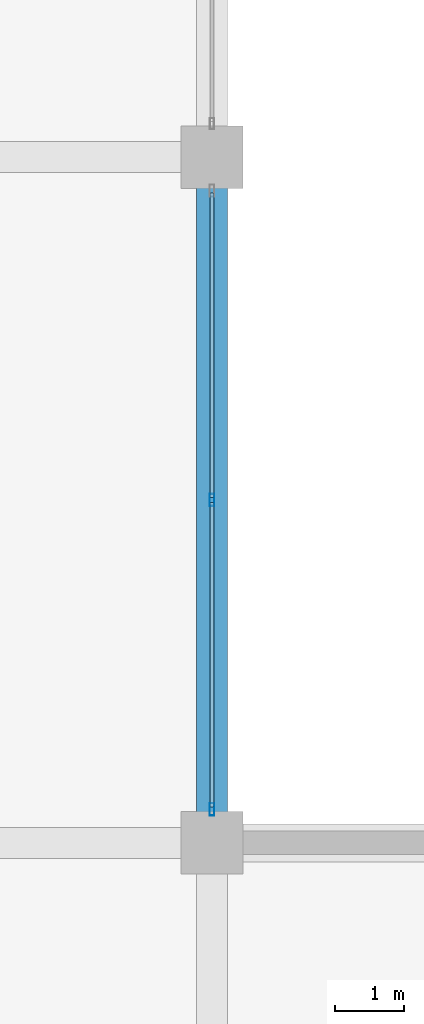
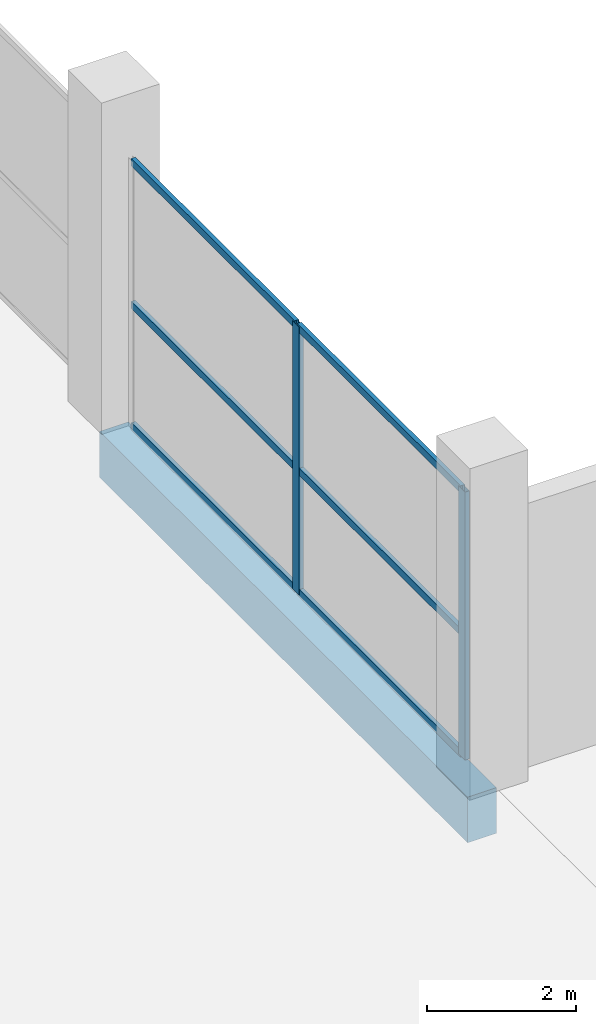
# One storey, part 8 of 50: 8 members, 1 beam, 1 element without a shape of its own.
"""IFC4 building model written with IfcOpenShell, lengths in metres."""

from ifc_helpers import new_model, si_unit, direction, frame, origin, origin_2d, place, context, subcontext, project, spatial, rectangle, hollow_rectangle, extrude, material, layer, layer_set, material_profile, profile_set, type_object, element, aggregate, save


model = new_model("IFC4")

# Units and contexts
model_context = context("Model", 3, precision=1e-05, world=origin(), true_north=direction((0.0, 1.0)))
body_context = subcontext(model_context, "Body", "Model", "MODEL_VIEW")
ifc_project = project(units=[si_unit("LENGTHUNIT", "METRE"), si_unit("AREAUNIT", "SQUARE_METRE"), si_unit("VOLUMEUNIT", "CUBIC_METRE"), si_unit("PLANEANGLEUNIT", "RADIAN"), si_unit("MASSUNIT", "GRAM", prefix="KILO")], contexts=[model_context])

# Site, building, storey
site_placement = place(None, origin())
site = spatial("IfcSite", under=ifc_project, at=site_placement, CompositionType="ELEMENT")
building_placement = place(site_placement, origin())
building = spatial("IfcBuilding", under=site, at=building_placement, Name="Sillaruma Civic Art Gallery", CompositionType="ELEMENT")
storey_placement = place(building_placement, origin())
storey = spatial("IfcBuildingStorey", under=building, at=storey_placement, Name="L00", CompositionType="ELEMENT", Elevation=0.0)

# Beam
ifc_material_1 = material(Name="Concrete H40 (40 MPa)", Category="concrete")
ifc_material_profile_1 = material_profile(ifc_material_1, rectangle(XDim=0.449951171875, YDim=0.75, at=origin_2d()), Name="RCB450x750")
ifc_profile_set_1 = profile_set([ifc_material_profile_1], Name="Concrete H40 (40 MPa)")
beam_type = type_object("IfcBeamType", Name="BM-BEAM-RCB450x750", PredefinedType="BEAM", material=ifc_profile_set_1)
beam_placement = place(storey_placement, frame((114.39990234375, 39.60009765625, -0.675048828125), z_axis=(0.0, 1.0, 0.0), x_axis=(-1.0, 0.0, 0.0)))
element("IfcBeam", 1, at=beam_placement, inside=storey, type_object=beam_type, Name="Beam BM-03 (B01:N:5-6)", PredefinedType="BEAM", context=body_context, shape_type="SweptSolid", body=[
    extrude(rectangle(XDim=0.449951171875, YDim=0.75, at=origin_2d()), origin(), (0.0, 0.0, 1.0), 9.89990234375),
])

# Curtain wall, members
ifc_material_2 = material(Name="Thermally Broken Extruded Aluminium 6063-T6", Category="aluminium")
ifc_layer = layer(ifc_material_2, 0.179931640625, Name="Thermally Broken Extruded Aluminium 6063-T6")
ifc_layer_set = layer_set([ifc_layer], Name="Thermally Broken Extruded Aluminium 6063-T6")
curtain_wall_type = type_object("IfcCurtainWallType", Name="CW-UNI-02", PredefinedType="NOTDEFINED", material=ifc_layer_set)
curtain_wall_placement = place(storey_placement, origin())
curtain_wall = element("IfcCurtainWall", 2, at=curtain_wall_placement, inside=storey, type_object=curtain_wall_type, Name="Unitised Curtain Wall CW-02 (CW-L00-SPE-3)", PredefinedType="NOTDEFINED")
ifc_material_profile_2 = material_profile(ifc_material_2, hollow_rectangle(XDim=0.070068359375, YDim=0.179931640625, WallThickness=0.00390625, at=origin_2d()), Name="CWM70x180")
ifc_profile_set_2 = profile_set([ifc_material_profile_2], Name="Thermally Broken Extruded Aluminium 6063-T6")
member_type_1 = type_object("IfcMemberType", Name="MEM-MUL-CWM70x180", PredefinedType="MULLION", material=ifc_profile_set_2)
member_1_placement = place(storey_placement, frame((114.39990234375, 40.0849609375, 0.0), z_axis=(0.0, 0.0, 1.0), x_axis=(-1.0, 0.0, 0.0)))
member_1 = element("IfcMember", 3, at=member_1_placement, type_object=member_type_1, Name="CW-02 mullion 1", PredefinedType="MULLION", context=body_context, shape_type="SweptSolid", body=[
    extrude(hollow_rectangle(XDim=0.070068359375, YDim=0.179931640625, WallThickness=0.00390625, at=origin_2d()), origin(), (0.0, 0.0, 1.0), 4.39990234375),
])
member_2_placement = place(storey_placement, frame((114.39990234375, 44.550048828125, 0.0), z_axis=(0.0, 0.0, 1.0), x_axis=(-1.0, 0.0, 0.0)))
member_2 = element("IfcMember", 4, at=member_2_placement, type_object=member_type_1, Name="CW-02 mullion 2", PredefinedType="MULLION", context=body_context, shape_type="SweptSolid", body=[
    extrude(hollow_rectangle(XDim=0.070068359375, YDim=0.179931640625, WallThickness=0.00390625, at=origin_2d()), origin(), (0.0, 0.0, 1.0), 4.39990234375),
])
ifc_material_profile_3 = material_profile(ifc_material_2, hollow_rectangle(XDim=0.06494140625, YDim=0.1201171875, WallThickness=0.00341796875, at=origin_2d()), Name="CWT65x120")
ifc_profile_set_3 = profile_set([ifc_material_profile_3], Name="Thermally Broken Extruded Aluminium 6063-T6")
member_type_2 = type_object("IfcMemberType", Name="MEM-TRN-CWT65x120", PredefinedType="USERDEFINED", material=ifc_profile_set_3)
member_3_placement = place(storey_placement, frame((114.39990234375, 40.1201171875, 0.032470703125), z_axis=(0.0, 1.0, 0.0), x_axis=(-1.0, 0.0, 0.0)))
member_3 = element("IfcMember", 5, at=member_3_placement, type_object=member_type_2, Name="CW-02 transom 1.1", ObjectType="TRANSOM", PredefinedType="USERDEFINED", context=body_context, shape_type="SweptSolid", body=[
    extrude(hollow_rectangle(XDim=0.06494140625, YDim=0.1201171875, WallThickness=0.00341796875, at=origin_2d()), origin(), (0.0, 0.0, 1.0), 4.394775390625),
])
member_4_placement = place(storey_placement, frame((114.39990234375, 40.1201171875, 2.02392578125), z_axis=(0.0, 1.0, 0.0), x_axis=(-1.0, 0.0, 0.0)))
member_4 = element("IfcMember", 6, at=member_4_placement, type_object=member_type_2, Name="CW-02 transom 1.2", ObjectType="TRANSOM", PredefinedType="USERDEFINED", context=body_context, shape_type="SweptSolid", body=[
    extrude(hollow_rectangle(XDim=0.06494140625, YDim=0.1201171875, WallThickness=0.00341796875, at=origin_2d()), origin(), (0.0, 0.0, 1.0), 4.394775390625),
])
member_5_placement = place(storey_placement, frame((114.39990234375, 40.1201171875, 4.367431640625), z_axis=(0.0, 1.0, 0.0), x_axis=(-1.0, 0.0, 0.0)))
member_5 = element("IfcMember", 7, at=member_5_placement, type_object=member_type_2, Name="CW-02 transom 1.3", ObjectType="TRANSOM", PredefinedType="USERDEFINED", context=body_context, shape_type="SweptSolid", body=[
    extrude(hollow_rectangle(XDim=0.06494140625, YDim=0.1201171875, WallThickness=0.00341796875, at=origin_2d()), origin(), (0.0, 0.0, 1.0), 4.394775390625),
])
member_6_placement = place(storey_placement, frame((114.39990234375, 44.5849609375, 0.032470703125), z_axis=(0.0, 1.0, 0.0), x_axis=(-1.0, 0.0, 0.0)))
member_6 = element("IfcMember", 8, at=member_6_placement, type_object=member_type_2, Name="CW-02 transom 2.1", ObjectType="TRANSOM", PredefinedType="USERDEFINED", context=body_context, shape_type="SweptSolid", body=[
    extrude(hollow_rectangle(XDim=0.06494140625, YDim=0.1201171875, WallThickness=0.00341796875, at=origin_2d()), origin(), (0.0, 0.0, 1.0), 4.39501953125),
])
member_7_placement = place(storey_placement, frame((114.39990234375, 44.5849609375, 2.02392578125), z_axis=(0.0, 1.0, 0.0), x_axis=(-1.0, 0.0, 0.0)))
member_7 = element("IfcMember", 9, at=member_7_placement, type_object=member_type_2, Name="CW-02 transom 2.2", ObjectType="TRANSOM", PredefinedType="USERDEFINED", context=body_context, shape_type="SweptSolid", body=[
    extrude(hollow_rectangle(XDim=0.06494140625, YDim=0.1201171875, WallThickness=0.00341796875, at=origin_2d()), origin(), (0.0, 0.0, 1.0), 4.39501953125),
])
member_8_placement = place(storey_placement, frame((114.39990234375, 44.5849609375, 4.367431640625), z_axis=(0.0, 1.0, 0.0), x_axis=(-1.0, 0.0, 0.0)))
member_8 = element("IfcMember", 10, at=member_8_placement, type_object=member_type_2, Name="CW-02 transom 2.3", ObjectType="TRANSOM", PredefinedType="USERDEFINED", context=body_context, shape_type="SweptSolid", body=[
    extrude(hollow_rectangle(XDim=0.06494140625, YDim=0.1201171875, WallThickness=0.00341796875, at=origin_2d()), origin(), (0.0, 0.0, 1.0), 4.39501953125),
])
aggregate(curtain_wall, [member_1, member_2, member_3, member_4, member_5, member_6, member_7, member_8])

save(model, "model.ifc")
